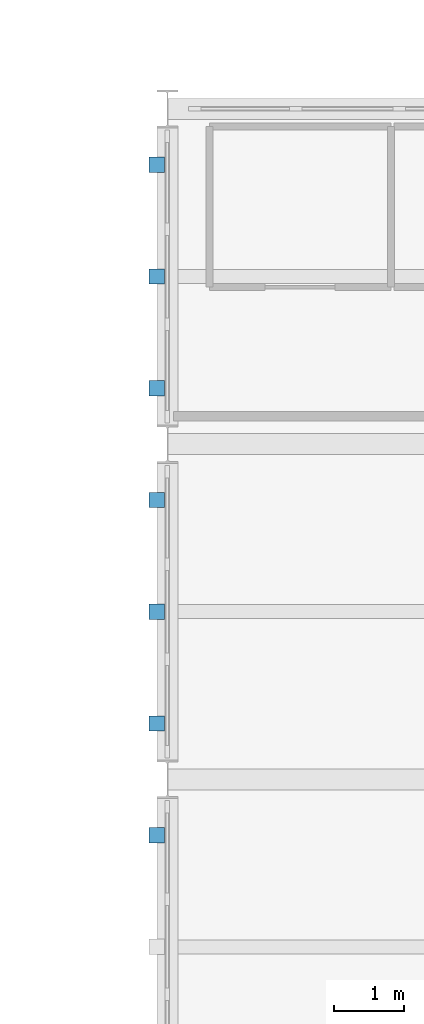
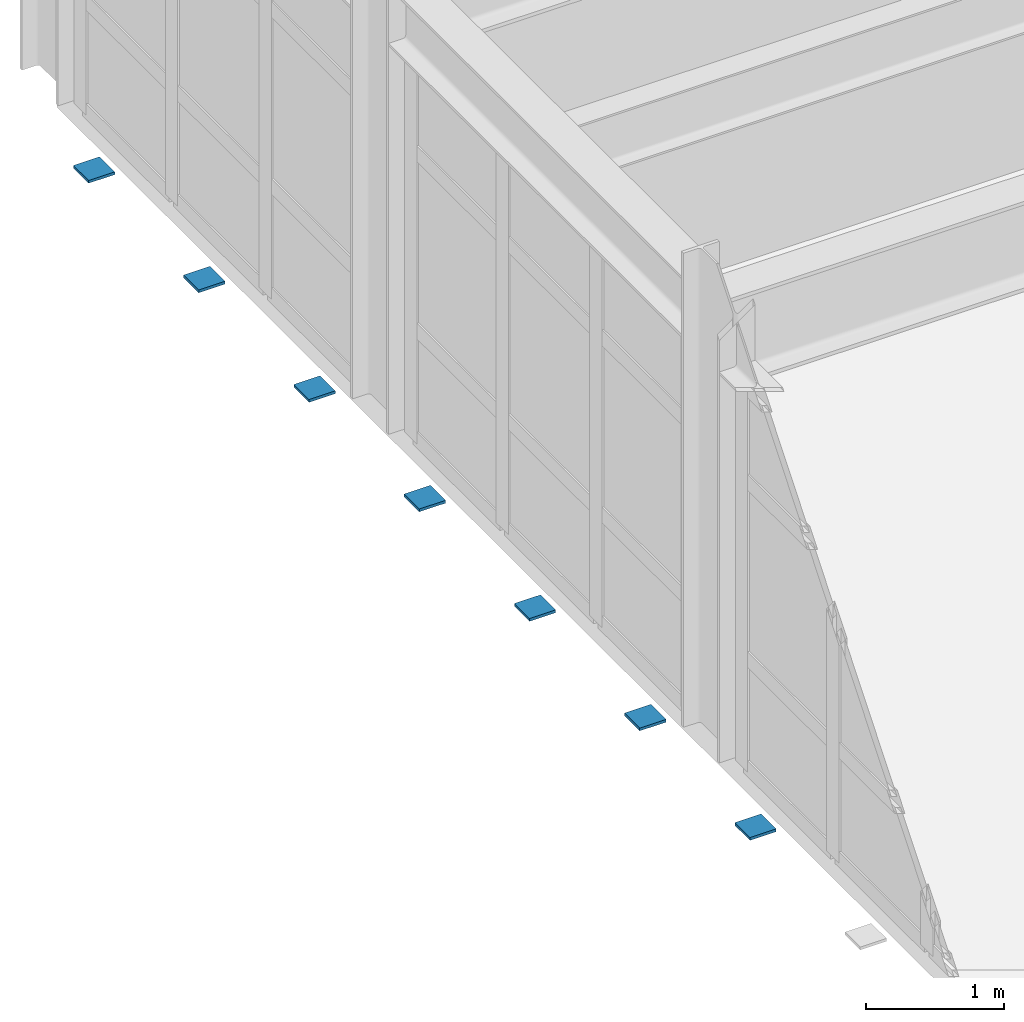
# One storey, part 71 of 76: 7 discrete accessories.
"""IFC4 building model written with IfcOpenShell, lengths in metres."""

import ifcopenshell
import ifcopenshell.guid

model = None  # the IFC model being written
_history = None  # IfcOwnerHistory: only IFC2X3 demands one
_inside = {}  # id of a spatial element -> (the spatial element, [elements in it])
_under = {}  # id of a project, library or spatial element -> (it, [spatial elements below it])
_declared = {}  # id of a project -> (the project, [libraries it declares])
_typed = {}  # id of a type object -> (the type object, [elements of that type])
_made_of = {}  # id of a material, layer set ... -> (it, [elements and type objects made of it])


def new_model(schema):
    """Start an empty IFC model of exactly this schema.

    Asked for "IFC4X3", IfcOpenShell would pick the latest addendum, in which some entities
    have other attributes; the version numbers below select the first issue.
    IFC2X3 requires an IfcOwnerHistory on every rooted entity: one is made here for all.
    """
    global model, _history
    if schema == "IFC4X3":
        model = ifcopenshell.file(schema_version=(4, 3, 0, 0))
    else:
        model = ifcopenshell.file(schema=schema)
    _inside.clear()
    _under.clear()
    _declared.clear()
    _typed.clear()
    _made_of.clear()
    _history = None
    if model.schema == "IFC2X3":
        org = make("IfcOrganization", Name="unknown")
        user = make(
            "IfcPersonAndOrganization",
            ThePerson=make("IfcPerson", FamilyName="unknown"),
            TheOrganization=org,
        )
        app = make(
            "IfcApplication",
            ApplicationDeveloper=org,
            Version="unknown",
            ApplicationFullName="unknown",
            ApplicationIdentifier="unknown",
        )
        _history = make(
            "IfcOwnerHistory",
            OwningUser=user,
            OwningApplication=app,
            ChangeAction="ADDED",
            CreationDate=0,
        )
    return model


def make(cls, **values):
    """One entity of the class cls with the attributes given. An attribute that is None is left unset."""
    return model.create_entity(
        cls, **{name: value for name, value in values.items() if value is not None}
    )


def rooted(cls, **values):
    """An entity with a GlobalId (a new one), such as an element, a storey or a relation."""
    return make(cls, GlobalId=ifcopenshell.guid.new(), OwnerHistory=_history, **values)


def si_unit(unit_type, name, prefix=None):
    """IfcSIUnit, for example si_unit("LENGTHUNIT", "METRE", prefix="MILLI")."""
    return make("IfcSIUnit", UnitType=unit_type, Prefix=prefix, Name=name)


def assignment(units):
    """IfcUnitAssignment: the units of a project."""
    return None if units is None else make("IfcUnitAssignment", Units=units)


def point(xyz):
    """IfcCartesianPoint."""
    return None if xyz is None else make("IfcCartesianPoint", Coordinates=xyz)


def direction(xyz):
    """IfcDirection."""
    return None if xyz is None else make("IfcDirection", DirectionRatios=xyz)


def frame(location, z_axis=None, x_axis=None):
    """IfcAxis2Placement3D, a coordinate frame: its origin and axes. An axis left out is left unset."""
    return make(
        "IfcAxis2Placement3D",
        Location=point(location),
        Axis=direction(z_axis),
        RefDirection=direction(x_axis),
    )


def frame_2d(location, x_axis=None):
    """IfcAxis2Placement2D, a coordinate frame in the plane: its origin and x axis."""
    return make(
        "IfcAxis2Placement2D", Location=point(location), RefDirection=direction(x_axis)
    )


def origin():
    """The frame at (0, 0, 0) with its axes left unset."""
    return frame((0.0, 0.0, 0.0))


def origin_2d():
    """The frame at (0, 0) in the plane with its x axis left unset."""
    return frame_2d((0.0, 0.0))


def place(relative_to, where):
    """IfcLocalPlacement: puts the frame where relative to a parent placement (None: the world)."""
    return make(
        "IfcLocalPlacement", PlacementRelTo=relative_to, RelativePlacement=where
    )


def context(
    kind, dimensions, precision=None, world=None, true_north=None, identifier=None
):
    """IfcGeometricRepresentationContext, for example the 3D "Model" context."""
    return make(
        "IfcGeometricRepresentationContext",
        ContextIdentifier=identifier,
        ContextType=kind,
        CoordinateSpaceDimension=dimensions,
        Precision=precision,
        WorldCoordinateSystem=world,
        TrueNorth=true_north,
    )


def subcontext(parent, identifier, kind, view, scale=None):
    """IfcGeometricRepresentationSubContext, for example "Body" below "Model"."""
    return make(
        "IfcGeometricRepresentationSubContext",
        ContextIdentifier=identifier,
        ContextType=kind,
        ParentContext=parent,
        TargetScale=scale,
        TargetView=view,
    )


def project(units=None, contexts=None):
    """IfcProject with its units and contexts."""
    return rooted(
        "IfcProject",
        Name="project",
        RepresentationContexts=contexts,
        UnitsInContext=assignment(units),
    )


def spatial(cls, under=None, at=None, **own):
    """A site, building, storey or space (cls), placed at a placement, below another one or the project."""
    s = rooted(cls, ObjectPlacement=at, **own)
    if under is not None:
        _under.setdefault(under.id(), (under, []))[1].append(s)
    return s


def profile(cls, at=None, kind="AREA", **sizes):
    """A parametric profile (cls). Its sizes go by their IFC names, for example OverallWidth=200.0."""
    return make(cls, ProfileType=kind, Position=at, **sizes)


def rectangle(**sizes):
    """IfcRectangleProfileDef."""
    return profile("IfcRectangleProfileDef", **sizes)


def extrude(swept, where, along, depth):
    """IfcExtrudedAreaSolid: the profile swept, set in the frame where, extruded along a direction by depth."""
    return make(
        "IfcExtrudedAreaSolid",
        SweptArea=swept,
        Position=where,
        ExtrudedDirection=direction(along),
        Depth=depth,
    )


def shape(context_of_items, identifier, shape_type, items):
    """IfcShapeRepresentation: the items that make up one representation, for example the "Body"."""
    return make(
        "IfcShapeRepresentation",
        ContextOfItems=context_of_items,
        RepresentationIdentifier=identifier,
        RepresentationType=shape_type,
        Items=items,
    )


def material(Name=None, Category=None):
    """IfcMaterial."""
    return make("IfcMaterial", Name=Name, Category=Category)


def layer(
    of_material, thickness, ventilated=None, Name=None, Category=None, Priority=None
):
    """IfcMaterialLayer: one layer of a wall or slab, of a material (None: an air gap)."""
    return make(
        "IfcMaterialLayer",
        Material=of_material,
        LayerThickness=thickness,
        IsVentilated=ventilated,
        Name=Name,
        Category=Category,
        Priority=Priority,
    )


def layer_set(layers, Name=None):
    """IfcMaterialLayerSet."""
    return make("IfcMaterialLayerSet", MaterialLayers=layers, LayerSetName=Name)


def made_of(thing, what):
    """Note that an element or type object is made of a material, layer set ...; save() writes the relation."""
    if what is not None:
        _made_of.setdefault(what.id(), (what, []))[1].append(thing)
    return thing


def type_object(cls, material=None, **own):
    """A type object (cls), such as IfcWallType, which elements share."""
    return made_of(rooted(cls, **own), material)


def element(
    cls,
    number,
    at=None,
    inside=None,
    cuts=None,
    type_object=None,
    material=None,
    context=None,
    identifier="Body",
    shape_type=None,
    held_by="IfcProductDefinitionShape",
    body=None,
    shapes=None,
    **own,
):
    """One element of the class cls, such as IfcWall. Its Tag is "e" and its number.

    at: its placement. inside: the storey or other place that contains it. cuts: it is an
    opening in that element (IfcRelVoidsElement). A single representation is given by context,
    identifier, shape_type and body (its items); several are given by shapes. held_by: the class
    of the entity that holds the representations. save() writes the other relations.
    """
    e = rooted(cls, Tag="e%d" % number, ObjectPlacement=at, **own)
    if body is not None:
        shapes = [shape(context, identifier, shape_type, body)]
    if shapes is not None:
        e.Representation = make(held_by, Representations=shapes)
    if inside is not None:
        _inside.setdefault(inside.id(), (inside, []))[1].append(e)
    if cuts is not None:
        rooted(
            "IfcRelVoidsElement", RelatingBuildingElement=cuts, RelatedOpeningElement=e
        )
    if type_object is not None:
        _typed.setdefault(type_object.id(), (type_object, []))[1].append(e)
    return made_of(e, material)


def aggregate(whole, parts):
    """IfcRelAggregates: a whole, such as a stair, and the parts it consists of."""
    return rooted("IfcRelAggregates", RelatingObject=whole, RelatedObjects=parts)


def save(model, path):
    """Write the relations noted so far, then the file.

    IfcRelAggregates (storeys below a building ...), IfcRelContainedInSpatialStructure (elements
    in a storey), IfcRelDefinesByType, IfcRelAssociatesMaterial and IfcRelDeclares: one each for
    every whole, place, type object, material and project.
    """
    for whole, parts in _under.values():
        aggregate(whole, parts)
    for where, things in _inside.values():
        rooted(
            "IfcRelContainedInSpatialStructure",
            RelatedElements=things,
            RelatingStructure=where,
        )
    for kind, things in _typed.values():
        rooted("IfcRelDefinesByType", RelatedObjects=things, RelatingType=kind)
    for what, things in _made_of.values():
        rooted("IfcRelAssociatesMaterial", RelatedObjects=things, RelatingMaterial=what)
    for by, libraries in _declared.values():
        rooted("IfcRelDeclares", RelatingContext=by, RelatedDefinitions=libraries)
    model.write(path)


model = new_model("IFC4")

# Units and contexts
model_context = context("Model", 3, precision=1e-05, world=origin(), true_north=direction((0.0, 1.0)))
body_context = subcontext(model_context, "Body", "Model", "MODEL_VIEW")
ifc_project = project(units=[si_unit("LENGTHUNIT", "METRE"), si_unit("AREAUNIT", "SQUARE_METRE"), si_unit("VOLUMEUNIT", "CUBIC_METRE"), si_unit("PLANEANGLEUNIT", "RADIAN"), si_unit("MASSUNIT", "GRAM", prefix="KILO")], contexts=[model_context])

# Site, building, storey
site_placement = place(None, origin())
site = spatial("IfcSite", under=ifc_project, at=site_placement, CompositionType="ELEMENT")
building_placement = place(site_placement, origin())
building = spatial("IfcBuilding", under=site, at=building_placement, Name="Nordkorset Police Headquarters", CompositionType="ELEMENT")
storey_placement = place(building_placement, frame((0.0, 0.0, 13.64990234375)))
storey = spatial("IfcBuildingStorey", under=building, at=storey_placement, Name="L03", CompositionType="ELEMENT", Elevation=13.64990234375)

# Discrete accessories
ifc_material = material(Name="Steel S355J2", Category="steel")
ifc_layer = layer(ifc_material, 0.02490234375, Name="Steel S355J2")
ifc_layer_set = layer_set([ifc_layer], Name="Steel S355J2")
discrete_accessory_type = type_object("IfcDiscreteAccessoryType", Name="Fin_Outrigger_Bracket", PredefinedType="BRACKET", material=ifc_layer_set)
for number, where, z_axis, x_axis, name in (
    (1, (-0.14990234375, 106.39990234375, -0.262451171875), (0.0, 0.0, 1.0), (1.0, 0.0, 0.0), "Timber Fin Outrigger Bracket W-015-L03"),
    (2, (-0.14990234375, 108.0, -0.262451171875), (0.0, 0.0, 1.0), (1.0, 0.0, 0.0), "Timber Fin Outrigger Bracket W-016-L03"),
    (3, (-0.14990234375, 109.60009765625, -0.262451171875), (0.0, 0.0, 1.0), (1.0, 0.0, 0.0), "Timber Fin Outrigger Bracket W-017-L03"),
    (4, (-0.14990234375, 111.199951171875, -0.262451171875), (0.0, 0.0, 1.0), (1.0, 0.0, 0.0), "Timber Fin Outrigger Bracket W-018-L03"),
    (5, (-0.14990234375, 112.800048828125, -0.262451171875), (0.0, 0.0, 1.0), (1.0, 0.0, 0.0), "Timber Fin Outrigger Bracket W-019-L03"),
    (6, (-0.14990234375, 114.39990234375, -0.262451171875), (0.0, 0.0, 1.0), (1.0, 0.0, 0.0), "Timber Fin Outrigger Bracket W-020-L03"),
    (7, (-0.14990234375, 116.0, -0.262451171875), (0.0, 0.0, 1.0), (1.0, 0.0, 0.0), "Timber Fin Outrigger Bracket W-021-L03"),
):
    element("IfcDiscreteAccessory", number, at=place(storey_placement, frame(where, z_axis=z_axis, x_axis=x_axis)), inside=storey, type_object=discrete_accessory_type, Name=name, PredefinedType="BRACKET", context=body_context, shape_type="SweptSolid", body=[
        extrude(rectangle(XDim=0.219970703125, YDim=0.219970703125, at=origin_2d()), origin(), (0.0, 0.0, 1.0), 0.02490234375),
    ])

save(model, "model.ifc")
